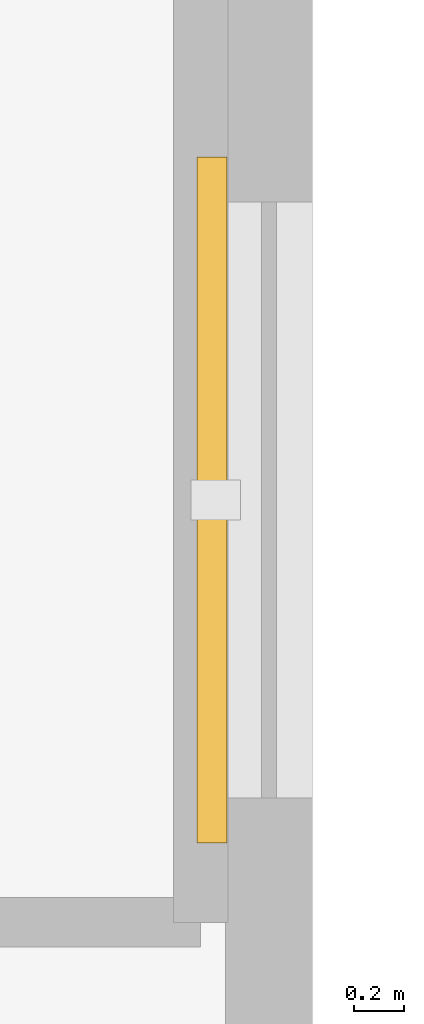
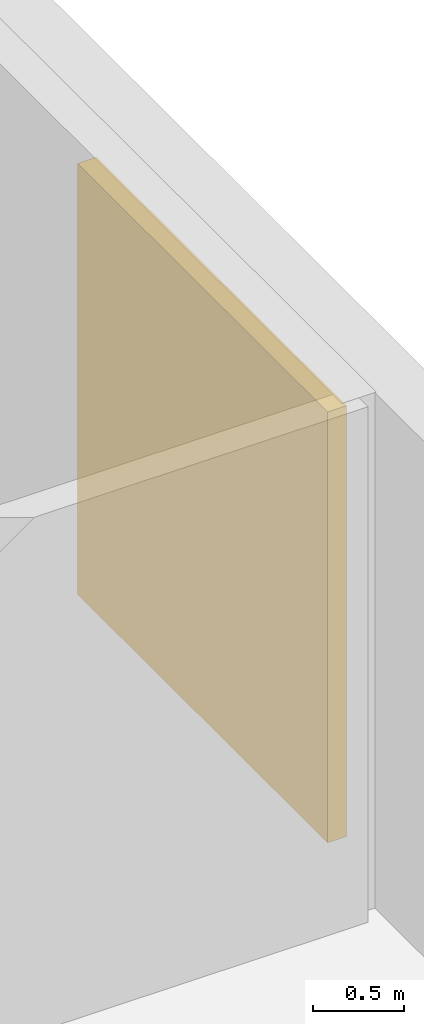
# One storey, part 16 of 16: 1 shading device.
"""IFC4 building model written with IfcOpenShell, lengths in metres."""

from ifc_helpers import new_model, si_unit, direction, frame, origin, origin_2d, place, context, subcontext, project, spatial, rectangle, extrude, material, layer, layer_set, type_object, element, save


model = new_model("IFC4")

# Units and contexts
model_context = context("Model", 3, precision=1e-05, world=origin(), true_north=direction((0.0, 1.0)))
body_context = subcontext(model_context, "Body", "Model", "MODEL_VIEW")
ifc_project = project(units=[si_unit("LENGTHUNIT", "METRE"), si_unit("AREAUNIT", "SQUARE_METRE"), si_unit("VOLUMEUNIT", "CUBIC_METRE"), si_unit("PLANEANGLEUNIT", "RADIAN"), si_unit("MASSUNIT", "GRAM", prefix="KILO")], contexts=[model_context])

# Site, building, storey
site_placement = place(None, origin())
site = spatial("IfcSite", under=ifc_project, at=site_placement, CompositionType="ELEMENT")
building_placement = place(site_placement, origin())
building = spatial("IfcBuilding", under=site, at=building_placement, Name="Koriwani Terraces Tower", CompositionType="ELEMENT")
storey_placement = place(building_placement, frame((0.0, 0.0, 252.699951171875)))
storey = spatial("IfcBuildingStorey", under=building, at=storey_placement, Name="L62", CompositionType="ELEMENT", Elevation=252.699951171875)

# Shading device
ifc_material = material(Name="Extruded Terracotta Clay", Category="masonry")
ifc_layer = layer(ifc_material, 0.1201171875, Name="Extruded Terracotta Clay")
ifc_layer_set = layer_set([ifc_layer], Name="Extruded Terracotta Clay")
shading_device_type = type_object("IfcShadingDeviceType", Name="TERRACOTTA_BAGUETTE_SCREEN_2800", PredefinedType="USERDEFINED", material=ifc_layer_set)
shading_device_placement = place(storey_placement, frame((33.195068359375, 63.0, 0.28515625), z_axis=(0.0, 0.0, 1.0), x_axis=(0.0, -1.0, 0.0)))
element("IfcShadingDevice", 1, at=shading_device_placement, inside=storey, type_object=shading_device_type, Name="L62 Extruded Terracotta Baguette Screen (NW_IN-11)", ObjectType="BAGUETTE", PredefinedType="USERDEFINED", context=body_context, shape_type="SweptSolid", body=[
    extrude(rectangle(XDim=2.760009765625, YDim=0.1201171875, at=origin_2d()), origin(), (0.0, 0.0, 1.0), 2.89990234375),
])

save(model, "model.ifc")
